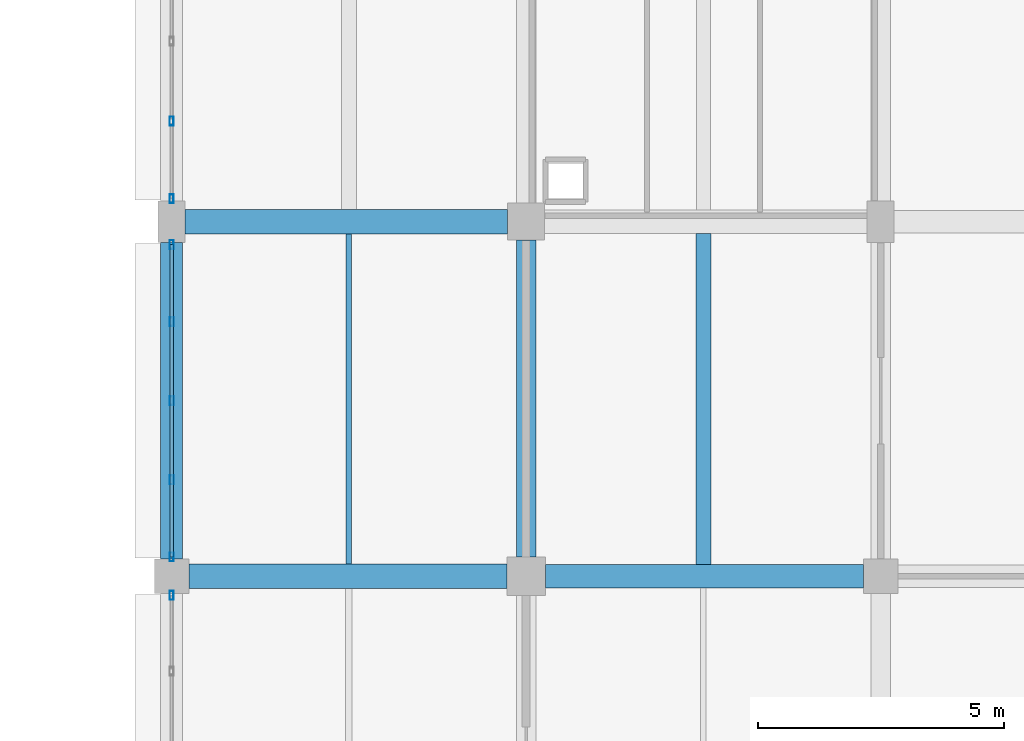
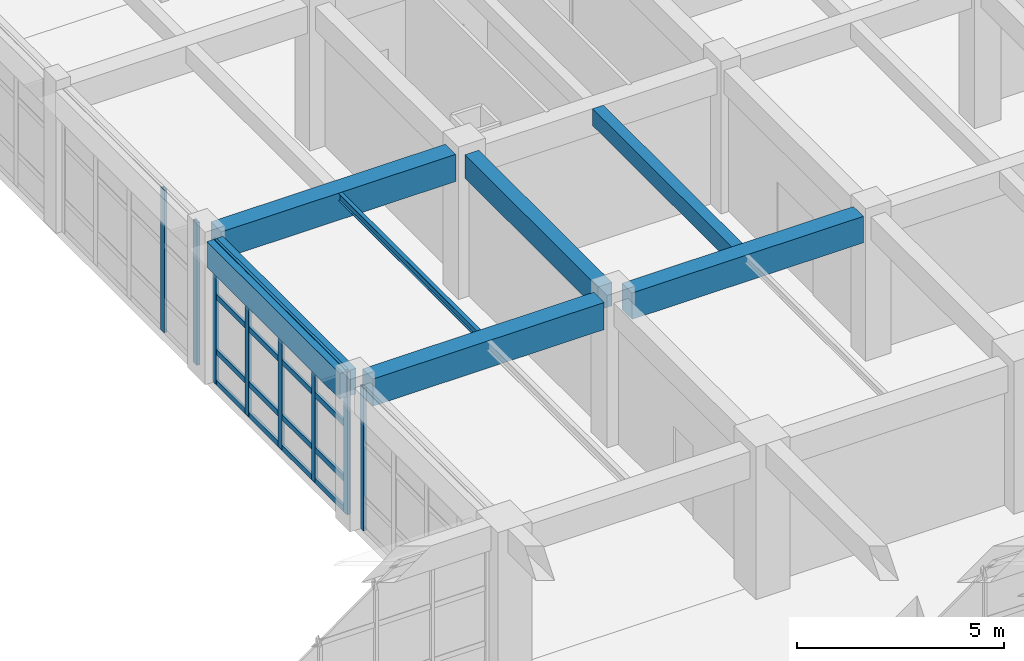
# One storey, part 105 of 171: 12 members, 7 beams, 3 elements without a shape of their own.
"""IFC4 building model written with IfcOpenShell, lengths in metres."""

from ifc_helpers import new_model, si_unit, direction, frame, origin, origin_2d, place, context, subcontext, project, spatial, rectangle, hollow_rectangle, i_section, extrude, material, material_profile, profile_set, type_object, element, aggregate, save


model = new_model("IFC4")

# Units and contexts
model_context = context("Model", 3, precision=1e-05, world=origin(), true_north=direction((0.0, 1.0)))
body_context = subcontext(model_context, "Body", "Model", "MODEL_VIEW")
ifc_project = project(units=[si_unit("LENGTHUNIT", "METRE"), si_unit("AREAUNIT", "SQUARE_METRE"), si_unit("VOLUMEUNIT", "CUBIC_METRE"), si_unit("PLANEANGLEUNIT", "RADIAN"), si_unit("MASSUNIT", "GRAM", prefix="KILO")], contexts=[model_context])

# Site, building, storey
site_placement = place(None, origin())
site = spatial("IfcSite", under=ifc_project, at=site_placement, CompositionType="ELEMENT")
building_placement = place(site_placement, origin())
building = spatial("IfcBuilding", under=site, at=building_placement, Name="Thalmaran Polytechnic", CompositionType="ELEMENT")
storey_placement = place(building_placement, frame((0.0, 0.0, 5.39990234375)))
storey = spatial("IfcBuildingStorey", under=building, at=storey_placement, Name="L01", CompositionType="ELEMENT", Elevation=5.39990234375)

# Beams
ifc_material_1 = material(Name="Concrete C40/50", Category="concrete")
ifc_material_profile_1 = material_profile(ifc_material_1, rectangle(XDim=0.5, YDim=0.800048828125, at=origin_2d()), Name="RC 500x800")
ifc_profile_set_1 = profile_set([ifc_material_profile_1], Name="Concrete C40/50")
beam_type_1 = type_object("IfcBeamType", Name="BM-RC02", PredefinedType="BEAM", material=ifc_profile_set_1)
beam_1_placement = place(storey_placement, frame((129.949951171875, 64.800048828125, 3.81005859375), z_axis=(1.0, 0.0, 0.0), x_axis=(0.0, 1.0, 0.0)))
element("IfcBeam", 1, at=beam_1_placement, inside=storey, type_object=beam_type_1, Name="Grid Beam B02 L01 X(18,9)", PredefinedType="BEAM", context=body_context, shape_type="SweptSolid", body=[
    extrude(rectangle(XDim=0.5, YDim=0.800048828125, at=origin_2d()), origin(), (0.0, 0.0, 1.0), 6.4599609375),
])
beam_2_placement = place(storey_placement, frame((129.875, 72.0, 3.81005859375), z_axis=(1.0, 0.0, 0.0), x_axis=(0.0, 1.0, 0.0)))
element("IfcBeam", 2, at=beam_2_placement, inside=storey, type_object=beam_type_1, Name="Grid Beam B02 L01 X(18,10)", PredefinedType="BEAM", context=body_context, shape_type="SweptSolid", body=[
    extrude(rectangle(XDim=0.5, YDim=0.800048828125, at=origin_2d()), origin(), (0.0, 0.0, 1.0), 6.550048828125),
])
ifc_material_profile_2 = material_profile(ifc_material_1, rectangle(XDim=0.389892578125, YDim=0.68994140625, at=origin_2d()), Name="RC 390x690")
ifc_profile_set_2 = profile_set([ifc_material_profile_2], Name="Concrete C40/50")
beam_type_2 = type_object("IfcBeamType", Name="BM-RC09", PredefinedType="BEAM", material=ifc_profile_set_2)
beam_3_placement = place(storey_placement, frame((136.800048828125, 65.18994140625, 3.864990234375), z_axis=(0.0, 1.0, 0.0), x_axis=(-1.0, 0.0, 0.0)))
element("IfcBeam", 3, at=beam_3_placement, inside=storey, type_object=beam_type_2, Name="Grid Beam B09 L01 Y(19,9)", PredefinedType="BEAM", context=body_context, shape_type="SweptSolid", body=[
    extrude(rectangle(XDim=0.389892578125, YDim=0.68994140625, at=origin_2d()), origin(), (0.0, 0.0, 1.0), 6.43505859375),
])
ifc_material_profile_3 = material_profile(ifc_material_1, rectangle(XDim=0.300048828125, YDim=0.5, at=origin_2d()), Name="RC 300x500")
ifc_profile_set_3 = profile_set([ifc_material_profile_3], Name="Concrete C40/50")
beam_type_3 = type_object("IfcBeamType", Name="BM-RC11", PredefinedType="JOIST", material=ifc_profile_set_3)
beam_4_placement = place(storey_placement, frame((140.39990234375, 65.0400390625, 3.960205078125), z_axis=(0.0, 1.0, 0.0), x_axis=(-1.0, 0.0, 0.0)))
element("IfcBeam", 4, at=beam_4_placement, inside=storey, type_object=beam_type_3, Name="Secondary Floor Rib RB01 L01 (19,9)", PredefinedType="JOIST", context=body_context, shape_type="SweptSolid", body=[
    extrude(rectangle(XDim=0.300048828125, YDim=0.5, at=origin_2d()), origin(), (0.0, 0.0, 1.0), 6.719970703125),
])
ifc_material_2 = material(Name="Steel S355", Category="steel")
ifc_material_profile_4 = material_profile(ifc_material_2, i_section(OverallWidth=0.110107421875, OverallDepth=0.219970703125, WebThickness=0.005859375, FlangeThickness=0.00927734375, at=origin_2d()), Name="IPE 220")
ifc_profile_set_4 = profile_set([ifc_material_profile_4], Name="Steel S355")
beam_type_4 = type_object("IfcBeamType", Name="BM-SJ04", PredefinedType="JOIST", material=ifc_profile_set_4)
beam_5_placement = place(storey_placement, frame((133.199951171875, 65.050048828125, 4.10009765625), z_axis=(0.0, 1.0, 0.0), x_axis=(-1.0, 0.0, 0.0)))
element("IfcBeam", 5, at=beam_5_placement, inside=storey, type_object=beam_type_4, Name="Secondary Floor Rib SJ04 L01 (18,9)", PredefinedType="JOIST", context=body_context, shape_type="SweptSolid", body=[
    extrude(i_section(OverallWidth=0.110107421875, OverallDepth=0.219970703125, WebThickness=0.005859375, FlangeThickness=0.00927734375, at=origin_2d()), origin(), (0.0, 0.0, 1.0), 6.699951171875),
])
ifc_material_profile_5 = material_profile(ifc_material_1, rectangle(XDim=0.449951171875, YDim=0.7548828125, at=origin_2d()), Name="RC 450x755")
ifc_profile_set_5 = profile_set([ifc_material_profile_5], Name="Concrete C40/50")
beam_type_5 = type_object("IfcBeamType", Name="BM-SP02", PredefinedType="SPANDREL", material=ifc_profile_set_5)
beam_6_placement = place(storey_placement, frame((129.60009765625, 65.14990234375, 3.83251953125), z_axis=(0.0, 1.0, 0.0), x_axis=(-1.0, 0.0, 0.0)))
element("IfcBeam", 6, at=beam_6_placement, inside=storey, type_object=beam_type_5, Name="Grid Beam SP02 L01 Y(18,9)", PredefinedType="SPANDREL", context=body_context, shape_type="SweptSolid", body=[
    extrude(rectangle(XDim=0.449951171875, YDim=0.7548828125, at=origin_2d()), origin(), (0.0, 0.0, 1.0), 6.425048828125),
])
ifc_material_profile_6 = material_profile(ifc_material_1, rectangle(XDim=0.47998046875, YDim=0.780029296875, at=origin_2d()), Name="RC 480x780")
ifc_profile_set_6 = profile_set([ifc_material_profile_6], Name="Concrete C40/50")
beam_type_6 = type_object("IfcBeamType", Name="BM-ZB01", PredefinedType="BEAM", material=ifc_profile_set_6)
beam_7_placement = place(storey_placement, frame((137.18994140625, 64.800048828125, 3.820068359375), z_axis=(1.0, 0.0, 0.0), x_axis=(0.0, 1.0, 0.0)))
element("IfcBeam", 7, at=beam_7_placement, inside=storey, type_object=beam_type_6, Name="Grid Beam ZB01 L01 X(19,9)", PredefinedType="BEAM", context=body_context, shape_type="SweptSolid", body=[
    extrude(rectangle(XDim=0.47998046875, YDim=0.780029296875, at=origin_2d()), origin(), (0.0, 0.0, 1.0), 6.4599609375),
])

# Curtain wall, member
ifc_material_3 = material(Name="Aluminium 6063-T6", Category="aluminium")
curtain_wall_type = type_object("IfcCurtainWallType", Name="CW-UC02", PredefinedType="USERDEFINED", material=ifc_material_3)
curtain_wall_1_placement = place(storey_placement, origin())
curtain_wall_1 = element("IfcCurtainWall", 8, at=curtain_wall_1_placement, inside=storey, type_object=curtain_wall_type, Name="Curtain Wall CW-L01-180", ObjectType="UNITISED CURTAIN WALL", PredefinedType="USERDEFINED")
ifc_material_profile_7 = material_profile(ifc_material_3, hollow_rectangle(XDim=0.080078125, YDim=0.179931640625, WallThickness=0.0048828125, at=origin_2d()), Name="RHS 180x80x5.0")
ifc_profile_set_7 = profile_set([ifc_material_profile_7], Name="Aluminium 6063-T6")
member_type_1 = type_object("IfcMemberType", Name="CW-MUL1", PredefinedType="MULLION", material=ifc_profile_set_7)
member_1_placement = place(storey_placement, frame((129.60009765625, 64.409912109375, 0.0), z_axis=(0.0, 0.0, 1.0), x_axis=(1.0, 0.0, 0.0)))
member_1 = element("IfcMember", 9, at=member_1_placement, type_object=member_type_1, Name="CW-L01-180 Mullion 5", PredefinedType="MULLION", context=body_context, shape_type="SweptSolid", body=[
    extrude(hollow_rectangle(XDim=0.080078125, YDim=0.179931640625, WallThickness=0.0048828125, at=origin_2d()), origin(), (0.0, 0.0, 1.0), 4.210205078125),
])
aggregate(curtain_wall_1, [member_1])

# Curtain wall, members
curtain_wall_2_placement = place(storey_placement, origin())
curtain_wall_2 = element("IfcCurtainWall", 10, at=curtain_wall_2_placement, inside=storey, type_object=curtain_wall_type, Name="Curtain Wall CW-L01-181", ObjectType="UNITISED CURTAIN WALL", PredefinedType="USERDEFINED")
member_2_placement = place(storey_placement, frame((129.60009765625, 65.18994140625, 0.0), z_axis=(0.0, 0.0, 1.0), x_axis=(1.0, 0.0, 0.0)))
member_2 = element("IfcMember", 11, at=member_2_placement, type_object=member_type_1, Name="CW-L01-181 Mullion 1", PredefinedType="MULLION", context=body_context, shape_type="SweptSolid", body=[
    extrude(hollow_rectangle(XDim=0.080078125, YDim=0.179931640625, WallThickness=0.0048828125, at=origin_2d()), origin(), (0.0, 0.0, 1.0), 4.210205078125),
])
member_3_placement = place(storey_placement, frame((129.60009765625, 66.75634765625, 0.0), z_axis=(0.0, 0.0, 1.0), x_axis=(1.0, 0.0, 0.0)))
member_3 = element("IfcMember", 12, at=member_3_placement, type_object=member_type_1, Name="CW-L01-181 Mullion 2", PredefinedType="MULLION", context=body_context, shape_type="SweptSolid", body=[
    extrude(hollow_rectangle(XDim=0.080078125, YDim=0.179931640625, WallThickness=0.0048828125, at=origin_2d()), origin(), (0.0, 0.0, 1.0), 4.210205078125),
])
member_4_placement = place(storey_placement, frame((129.60009765625, 68.362548828125, 0.0), z_axis=(0.0, 0.0, 1.0), x_axis=(1.0, 0.0, 0.0)))
member_4 = element("IfcMember", 13, at=member_4_placement, type_object=member_type_1, Name="CW-L01-181 Mullion 3", PredefinedType="MULLION", context=body_context, shape_type="SweptSolid", body=[
    extrude(hollow_rectangle(XDim=0.080078125, YDim=0.179931640625, WallThickness=0.0048828125, at=origin_2d()), origin(), (0.0, 0.0, 1.0), 4.210205078125),
])
member_5_placement = place(storey_placement, frame((129.60009765625, 69.96875, 0.0), z_axis=(0.0, 0.0, 1.0), x_axis=(1.0, 0.0, 0.0)))
member_5 = element("IfcMember", 14, at=member_5_placement, type_object=member_type_1, Name="CW-L01-181 Mullion 4", PredefinedType="MULLION", context=body_context, shape_type="SweptSolid", body=[
    extrude(hollow_rectangle(XDim=0.080078125, YDim=0.179931640625, WallThickness=0.0048828125, at=origin_2d()), origin(), (0.0, 0.0, 1.0), 4.210205078125),
])
member_6_placement = place(storey_placement, frame((129.60009765625, 71.534912109375, 0.0), z_axis=(0.0, 0.0, 1.0), x_axis=(1.0, 0.0, 0.0)))
member_6 = element("IfcMember", 15, at=member_6_placement, type_object=member_type_1, Name="CW-L01-181 Mullion 5", PredefinedType="MULLION", context=body_context, shape_type="SweptSolid", body=[
    extrude(hollow_rectangle(XDim=0.080078125, YDim=0.179931640625, WallThickness=0.0048828125, at=origin_2d()), origin(), (0.0, 0.0, 1.0), 4.210205078125),
])

curtain_wall_3_placement = place(storey_placement, origin())
curtain_wall_3 = element("IfcCurtainWall", 16, at=curtain_wall_3_placement, inside=storey, type_object=curtain_wall_type, Name="Curtain Wall CW-L01-182", ObjectType="UNITISED CURTAIN WALL", PredefinedType="USERDEFINED")
member_7_placement = place(storey_placement, frame((129.60009765625, 72.465087890625, 0.0), z_axis=(0.0, 0.0, 1.0), x_axis=(1.0, 0.0, 0.0)))
member_7 = element("IfcMember", 17, at=member_7_placement, type_object=member_type_1, Name="CW-L01-182 Mullion 1", PredefinedType="MULLION", context=body_context, shape_type="SweptSolid", body=[
    extrude(hollow_rectangle(XDim=0.080078125, YDim=0.179931640625, WallThickness=0.0048828125, at=origin_2d()), origin(), (0.0, 0.0, 1.0), 4.210205078125),
])
member_8_placement = place(storey_placement, frame((129.60009765625, 74.043701171875, 0.0), z_axis=(0.0, 0.0, 1.0), x_axis=(1.0, 0.0, 0.0)))
member_8 = element("IfcMember", 18, at=member_8_placement, type_object=member_type_1, Name="CW-L01-182 Mullion 2", PredefinedType="MULLION", context=body_context, shape_type="SweptSolid", body=[
    extrude(hollow_rectangle(XDim=0.080078125, YDim=0.179931640625, WallThickness=0.0048828125, at=origin_2d()), origin(), (0.0, 0.0, 1.0), 4.210205078125),
])
aggregate(curtain_wall_3, [member_7, member_8])

# Member
ifc_material_profile_8 = material_profile(ifc_material_3, hollow_rectangle(XDim=0.070068359375, YDim=0.159912109375, WallThickness=0.00390625, at=origin_2d()), Name="AL 160x70x4.0")
ifc_profile_set_8 = profile_set([ifc_material_profile_8], Name="Aluminium 6063-T6")
member_type_2 = type_object("IfcMemberType", Name="CW-TRN1", PredefinedType="USERDEFINED", material=ifc_profile_set_8)
member_9_placement = place(storey_placement, frame((129.60009765625, 65.18994140625, 0.06005859375), z_axis=(0.0, 1.0, 0.0), x_axis=(-1.0, 0.0, 0.0)))
member_9 = element("IfcMember", 19, at=member_9_placement, type_object=member_type_2, Name="CW-L01-181 Transom 1", ObjectType="TRANSOM", PredefinedType="USERDEFINED", context=body_context, shape_type="SweptSolid", body=[
    extrude(hollow_rectangle(XDim=0.070068359375, YDim=0.159912109375, WallThickness=0.00390625, at=origin_2d()), origin(), (0.0, 0.0, 1.0), 6.344970703125),
])

member_10_placement = place(storey_placement, frame((129.60009765625, 65.18994140625, 0.960205078125), z_axis=(0.0, 1.0, 0.0), x_axis=(-1.0, 0.0, 0.0)))
member_10 = element("IfcMember", 20, at=member_10_placement, type_object=member_type_2, Name="CW-L01-181 Transom 2", ObjectType="TRANSOM", PredefinedType="USERDEFINED", context=body_context, shape_type="SweptSolid", body=[
    extrude(hollow_rectangle(XDim=0.070068359375, YDim=0.159912109375, WallThickness=0.00390625, at=origin_2d()), origin(), (0.0, 0.0, 1.0), 6.344970703125),
])

member_11_placement = place(storey_placement, frame((129.60009765625, 65.18994140625, 2.585205078125), z_axis=(0.0, 1.0, 0.0), x_axis=(-1.0, 0.0, 0.0)))
member_11 = element("IfcMember", 21, at=member_11_placement, type_object=member_type_2, Name="CW-L01-181 Transom 3", ObjectType="TRANSOM", PredefinedType="USERDEFINED", context=body_context, shape_type="SweptSolid", body=[
    extrude(hollow_rectangle(XDim=0.070068359375, YDim=0.159912109375, WallThickness=0.00390625, at=origin_2d()), origin(), (0.0, 0.0, 1.0), 6.344970703125),
])

member_12_placement = place(storey_placement, frame((129.60009765625, 65.18994140625, 4.150146484375), z_axis=(0.0, 1.0, 0.0), x_axis=(-1.0, 0.0, 0.0)))
member_12 = element("IfcMember", 22, at=member_12_placement, type_object=member_type_2, Name="CW-L01-181 Transom 4", ObjectType="TRANSOM", PredefinedType="USERDEFINED", context=body_context, shape_type="SweptSolid", body=[
    extrude(hollow_rectangle(XDim=0.070068359375, YDim=0.159912109375, WallThickness=0.00390625, at=origin_2d()), origin(), (0.0, 0.0, 1.0), 6.344970703125),
])

aggregate(curtain_wall_2, [member_2, member_3, member_4, member_5, member_6, member_9, member_10, member_11, member_12])

save(model, "model.ifc")
